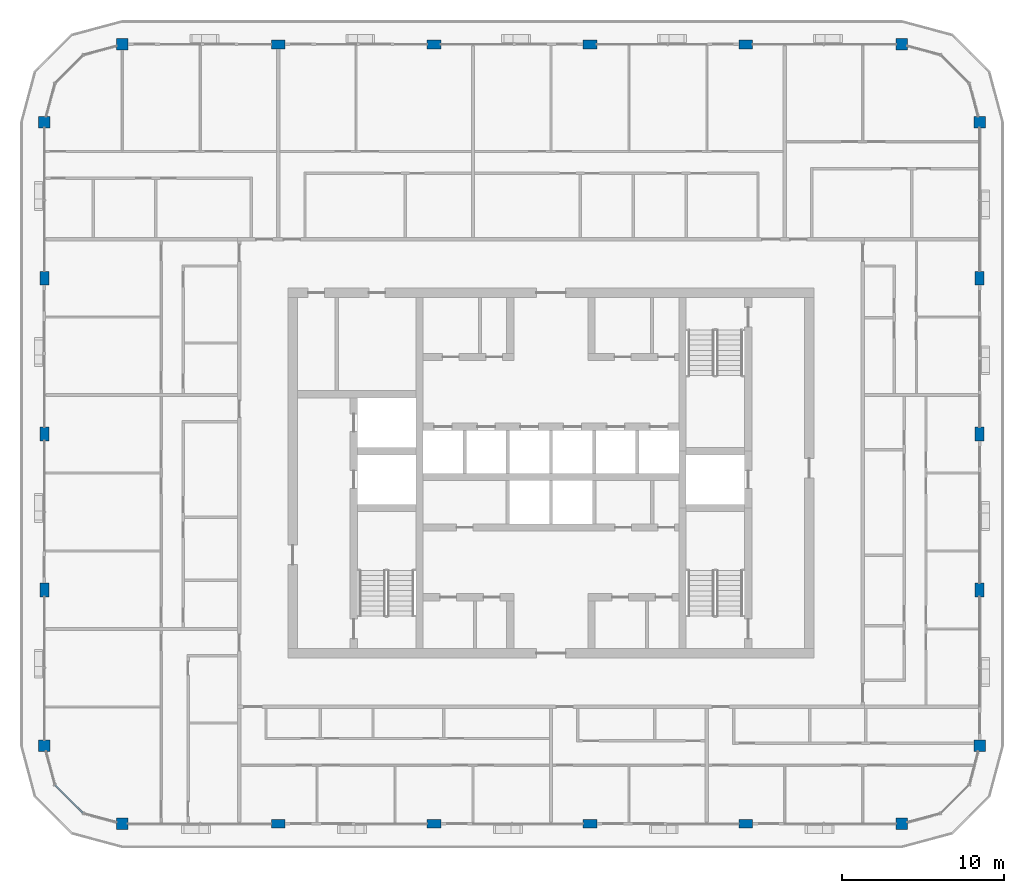
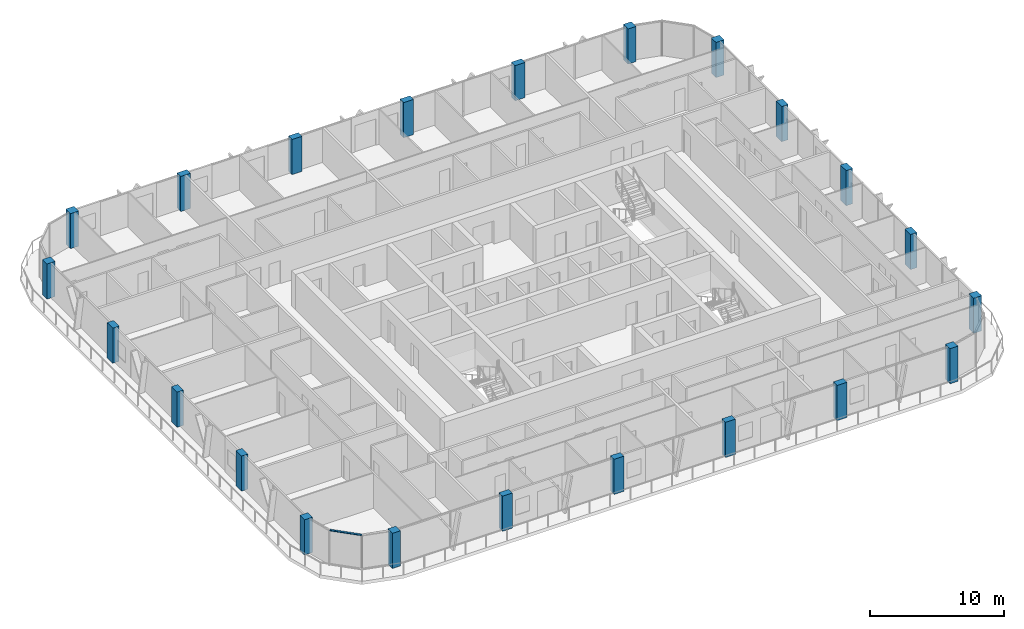
# One storey, part 1 of 21: 22 columns, 1 member, 1 element without a shape of its own.
"""IFC4 building model written with IfcOpenShell, lengths in metres."""

from ifc_helpers import new_model, si_unit, direction, frame, origin, origin_2d, place, context, subcontext, project, spatial, rectangle, extrude, material, layer, layer_set, material_profile, profile_set, type_object, element, aggregate, save


model = new_model("IFC4")

# Units and contexts
model_context = context("Model", 3, precision=1e-05, world=origin(), true_north=direction((0.0, 1.0)))
body_context = subcontext(model_context, "Body", "Model", "MODEL_VIEW")
ifc_project = project(units=[si_unit("LENGTHUNIT", "METRE"), si_unit("AREAUNIT", "SQUARE_METRE"), si_unit("VOLUMEUNIT", "CUBIC_METRE"), si_unit("PLANEANGLEUNIT", "RADIAN"), si_unit("MASSUNIT", "GRAM", prefix="KILO")], contexts=[model_context])

# Site, building, storey
site_placement = place(None, origin())
site = spatial("IfcSite", under=ifc_project, at=site_placement, CompositionType="ELEMENT")
building_placement = place(site_placement, origin())
building = spatial("IfcBuilding", under=site, at=building_placement, Name="Madar Terraces", CompositionType="ELEMENT")
storey_placement = place(building_placement, frame((0.0, 0.0, 238.699951171875)))
storey = spatial("IfcBuildingStorey", under=building, at=storey_placement, Name="L62", CompositionType="ELEMENT", Elevation=238.699951171875)

# Columns
ifc_material_1 = material(Name="Concrete C55/67", Category="concrete")
ifc_material_profile_1 = material_profile(ifc_material_1, rectangle(XDim=0.85009765625, YDim=0.550048828125, at=origin_2d()), Name="CC5 RC 850x550")
ifc_profile_set_1 = profile_set([ifc_material_profile_1], Name="Concrete C55/67")
column_type_1 = type_object("IfcColumnType", Name="CC5 RC 850x550", PredefinedType="COLUMN", material=ifc_profile_set_1)
for number, where, z_axis, x_axis, name in (
    (1, (14.39990234375, 4.800048828125, 0.0), (0.0, 0.0, 1.0), (1.0, 0.0, 0.0), "Perimeter column S2"),
    (2, (24.0, 4.800048828125, 0.0), (0.0, 0.0, 1.0), (1.0, 0.0, 0.0), "Perimeter column S3"),
    (3, (33.60009765625, 4.800048828125, 0.0), (0.0, 0.0, 1.0), (1.0, 0.0, 0.0), "Perimeter column S4"),
    (4, (43.199951171875, 4.800048828125, 0.0), (0.0, 0.0, 1.0), (1.0, 0.0, 0.0), "Perimeter column S5"),
    (5, (57.60009765625, 19.199951171875, 0.0), (0.0, 0.0, 1.0), (0.0, 1.0, 0.0), "Perimeter column E2"),
    (6, (57.60009765625, 28.800048828125, 0.0), (0.0, 0.0, 1.0), (0.0, 1.0, 0.0), "Perimeter column E3"),
    (7, (57.60009765625, 38.39990234375, 0.0), (0.0, 0.0, 1.0), (0.0, 1.0, 0.0), "Perimeter column E4"),
    (8, (43.199951171875, 52.800048828125, 0.0), (0.0, 0.0, 1.0), (1.0, 0.0, 0.0), "Perimeter column N2"),
    (9, (33.60009765625, 52.800048828125, 0.0), (0.0, 0.0, 1.0), (1.0, 0.0, 0.0), "Perimeter column N3"),
    (10, (24.0, 52.800048828125, 0.0), (0.0, 0.0, 1.0), (1.0, 0.0, 0.0), "Perimeter column N4"),
    (11, (14.39990234375, 52.800048828125, 0.0), (0.0, 0.0, 1.0), (1.0, 0.0, 0.0), "Perimeter column N5"),
    (12, (0.0, 38.39990234375, 0.0), (0.0, 0.0, 1.0), (0.0, 1.0, 0.0), "Perimeter column W2"),
    (13, (0.0, 28.800048828125, 0.0), (0.0, 0.0, 1.0), (0.0, 1.0, 0.0), "Perimeter column W3"),
    (14, (0.0, 19.199951171875, 0.0), (0.0, 0.0, 1.0), (0.0, 1.0, 0.0), "Perimeter column W4"),
):
    element("IfcColumn", number, at=place(storey_placement, frame(where, z_axis=z_axis, x_axis=x_axis)), inside=storey, type_object=column_type_1, Name=name, PredefinedType="COLUMN", context=body_context, shape_type="SweptSolid", body=[
        extrude(rectangle(XDim=0.85009765625, YDim=0.550048828125, at=origin_2d()), origin(), (0.0, 0.0, 1.0), 3.199951171875),
    ])
ifc_material_2 = material(Name="Concrete C55/67", Category="concrete")
ifc_material_profile_2 = material_profile(ifc_material_2, rectangle(XDim=0.699951171875, YDim=0.699951171875, at=origin_2d()), Name="KC5 RC 700x700")
ifc_profile_set_2 = profile_set([ifc_material_profile_2], Name="Concrete C55/67")
column_type_2 = type_object("IfcColumnType", Name="KC5 RC 700x700", PredefinedType="COLUMN", material=ifc_profile_set_2)
for number, where, z_axis, x_axis, name in (
    (15, (4.800048828125, 4.800048828125, 0.0), (0.0, 0.0, 1.0), (1.0, 0.0, 0.0), "Perimeter column S1"),
    (16, (52.800048828125, 4.800048828125, 0.0), (0.0, 0.0, 1.0), (1.0, 0.0, 0.0), "Perimeter column S6"),
    (17, (57.60009765625, 9.60009765625, 0.0), (0.0, 0.0, 1.0), (1.0, 0.0, 0.0), "Perimeter column E1"),
    (18, (57.60009765625, 48.0, 0.0), (0.0, 0.0, 1.0), (1.0, 0.0, 0.0), "Perimeter column E5"),
    (19, (52.800048828125, 52.800048828125, 0.0), (0.0, 0.0, 1.0), (1.0, 0.0, 0.0), "Perimeter column N1"),
    (20, (4.800048828125, 52.800048828125, 0.0), (0.0, 0.0, 1.0), (1.0, 0.0, 0.0), "Perimeter column N6"),
    (21, (0.0, 48.0, 0.0), (0.0, 0.0, 1.0), (1.0, 0.0, 0.0), "Perimeter column W1"),
    (22, (0.0, 9.60009765625, 0.0), (0.0, 0.0, 1.0), (1.0, 0.0, 0.0), "Perimeter column W5"),
):
    element("IfcColumn", number, at=place(storey_placement, frame(where, z_axis=z_axis, x_axis=x_axis)), inside=storey, type_object=column_type_2, Name=name, PredefinedType="COLUMN", context=body_context, shape_type="SweptSolid", body=[
        extrude(rectangle(XDim=0.699951171875, YDim=0.699951171875, at=origin_2d()), origin(), (0.0, 0.0, 1.0), 3.199951171875),
    ])

# Curtain wall, member
ifc_material_3 = material(Name="Glass, ceramic frit dark grey, with black aluminium frame", Category="aluminium")
ifc_layer = layer(ifc_material_3, 0.199951171875)
ifc_layer_set = layer_set([ifc_layer], Name="Facade curtain wall, fritted glass")
curtain_wall_type = type_object("IfcCurtainWallType", Name="Facade curtain wall, fritted glass", PredefinedType="NOTDEFINED", material=ifc_layer_set)
curtain_wall_placement = place(storey_placement, origin())
curtain_wall = element("IfcCurtainWall", 23, at=curtain_wall_placement, inside=storey, type_object=curtain_wall_type, Name="Outer skin curtain wall south-west corner", PredefinedType="NOTDEFINED")
ifc_material_4 = material(Name="Aluminium, black anodised", Category="aluminium")
ifc_material_profile_3 = material_profile(ifc_material_4, rectangle(XDim=0.1201171875, YDim=0.06005859375, at=origin_2d()), Name="Facade transom 60x120")
ifc_profile_set_3 = profile_set([ifc_material_profile_3], Name="Aluminium, black anodised")
member_type = type_object("IfcMemberType", Name="Facade transom 60x120", PredefinedType="USERDEFINED", material=ifc_profile_set_3)
member_placement = place(storey_placement, frame((0.664306640625, 7.1787109375, 3.170166015625), z_axis=(0.707157125196, -0.707056433593, 0.0), x_axis=(0.707056433593, 0.707157125196, 0.0)))
member = element("IfcMember", 24, at=member_placement, type_object=member_type, Name="Transom 2", ObjectType="TRANSOM", PredefinedType="USERDEFINED", context=body_context, shape_type="SweptSolid", body=[
    extrude(rectangle(XDim=0.1201171875, YDim=0.06005859375, at=origin_2d()), origin(), (0.0, 0.0, 1.0), 2.424560546875),
])
aggregate(curtain_wall, [member])

save(model, "model.ifc")
